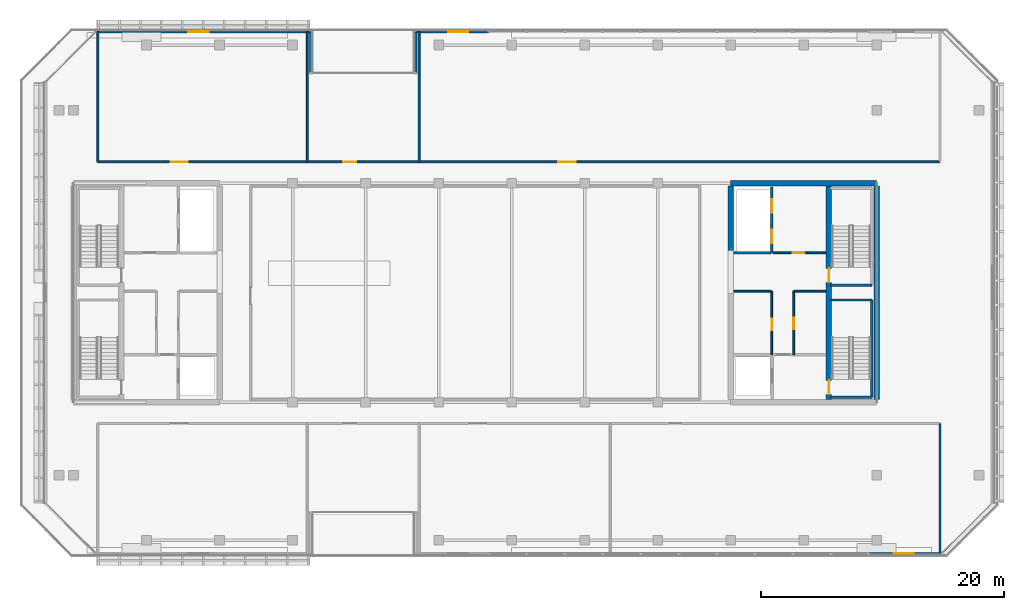
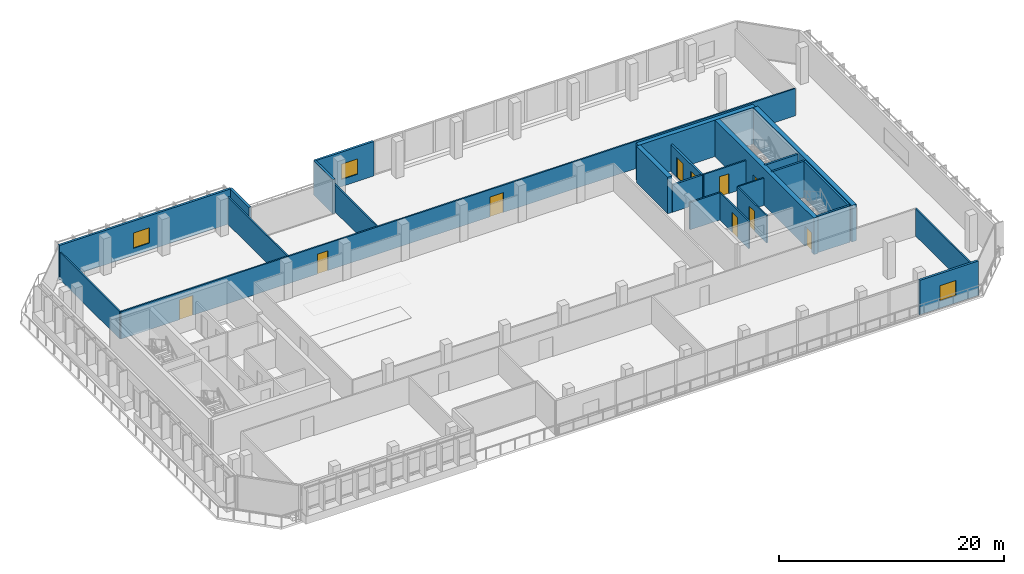
# One storey, part 21 of 26: 25 walls, 10 doors, 3 windows, 13 openings.
"""IFC4 building model written with IfcOpenShell, lengths in metres."""

from ifc_helpers import new_model, si_unit, direction, frame, frame_2d, origin, place, context, subcontext, project, spatial, rectangle, extrude, material, layer, layer_set, type_object, element, fill, save


model = new_model("IFC4")

# Units and contexts
model_context = context("Model", 3, precision=1e-05, world=origin(), true_north=direction((0.0, 1.0)))
body_context = subcontext(model_context, "Body", "Model", "MODEL_VIEW")
ifc_project = project(units=[si_unit("LENGTHUNIT", "METRE"), si_unit("AREAUNIT", "SQUARE_METRE"), si_unit("VOLUMEUNIT", "CUBIC_METRE"), si_unit("PLANEANGLEUNIT", "RADIAN"), si_unit("MASSUNIT", "GRAM", prefix="KILO")], contexts=[model_context])

# Site, building, storey
site_placement = place(None, origin())
site = spatial("IfcSite", under=ifc_project, at=site_placement, CompositionType="ELEMENT")
building_placement = place(site_placement, origin())
building = spatial("IfcBuilding", under=site, at=building_placement, Name="Tanjung Sevakor Pilgrim Tower", CompositionType="ELEMENT")
storey_placement = place(building_placement, frame((0.0, 0.0, 177.8701171875)))
storey = spatial("IfcBuildingStorey", under=building, at=storey_placement, Name="L49", CompositionType="ELEMENT", Elevation=177.8701171875)

# Walls
ifc_material_1 = material(Name="Concrete C60/75", Category="concrete")
ifc_layer_1 = layer(ifc_material_1, 0.449951171875)
ifc_layer_set_1 = layer_set([ifc_layer_1], Name="WALL-CW-450")
wall_type_1 = type_object("IfcWallType", Name="WALL-CW-450", PredefinedType="SHEAR", material=ifc_layer_set_1)
wall_1_placement = place(storey_placement, frame((90.0, 42.60009765625, 0.0), z_axis=(0.0, 0.0, 1.0), x_axis=(-1.0, 0.0, 0.0)))
element("IfcWall", 1, at=wall_1_placement, inside=storey, type_object=wall_type_1, Name="L49 E Core North Shear Wall", PredefinedType="SHEAR", context=body_context, shape_type="SweptSolid", body=[
    extrude(rectangle(XDim=12.0, YDim=0.449951171875, at=frame_2d((6.0, 0.0))), origin(), (0.0, 0.0, 1.0), 3.9599609375),
])
wall_2_placement = place(storey_placement, frame((90.0, 24.824951171875, 0.0), z_axis=(0.0, 0.0, 1.0), x_axis=(0.0, 1.0, 0.0)))
element("IfcWall", 2, at=wall_2_placement, inside=storey, type_object=wall_type_1, Name="L49 E Core Outer Shear Wall", PredefinedType="SHEAR", context=body_context, shape_type="SweptSolid", body=[
    extrude(rectangle(XDim=17.550048828125, YDim=0.449951171875, at=frame_2d((8.77490234375, 0.0))), origin(), (0.0, 0.0, 1.0), 3.9599609375),
])
wall_3_placement = place(storey_placement, frame((78.0, 36.800048828125, 0.0), z_axis=(0.0, 0.0, 1.0), x_axis=(0.0, 1.0, 0.0)))
element("IfcWall", 3, at=wall_3_placement, inside=storey, type_object=wall_type_1, Name="L49 E Core Inner Shear Wall North", PredefinedType="SHEAR", context=body_context, shape_type="SweptSolid", body=[
    extrude(rectangle(XDim=5.574951171875, YDim=0.449951171875, at=frame_2d((2.78759765625, 0.0))), origin(), (0.0, 0.0, 1.0), 3.9599609375),
])

# Wall, openings, doors
wall_4_placement = place(storey_placement, frame((86.074951171875, 24.824951171875, 0.0), z_axis=(0.0, 0.0, 1.0), x_axis=(0.0, 1.0, 0.0)))
wall_4 = element("IfcWall", 4, at=wall_4_placement, inside=storey, type_object=wall_type_1, Name="L49 E Core Stair Spine Wall", PredefinedType="SHEAR", context=body_context, shape_type="SweptSolid", body=[
    extrude(rectangle(XDim=17.550048828125, YDim=0.449951171875, at=frame_2d((8.77490234375, 0.0))), origin(), (0.0, 0.0, 1.0), 3.9599609375),
])
opening_1_placement = place(wall_4_placement, frame((0.425048828125, 0.0, 0.0)))
opening_1 = element("IfcOpeningElement", 5, at=opening_1_placement, cuts=wall_4, Name="Opening ID-ST1", PredefinedType="OPENING", context=body_context, shape_type="SweptSolid", body=[
    extrude(rectangle(XDim=1.14990234375, YDim=2.14990234375, at=frame_2d((0.574951171875, 1.074951171875))), frame((0.0, 0.23486328125, 0.0), z_axis=(0.0, -1.0, 0.0), x_axis=(1.0, 0.0, 0.0)), (0.0, 0.0, 1.0), 0.469970703125),
])
opening_2_placement = place(wall_4_placement, frame((9.625, 0.0, 0.0)))
opening_2 = element("IfcOpeningElement", 6, at=opening_2_placement, cuts=wall_4, Name="Opening ID-ST1", PredefinedType="OPENING", context=body_context, shape_type="SweptSolid", body=[
    extrude(rectangle(XDim=1.14990234375, YDim=2.14990234375, at=frame_2d((0.574951171875, 1.074951171875))), frame((0.0, 0.23486328125, 0.0), z_axis=(0.0, -1.0, 0.0), x_axis=(1.0, 0.0, 0.0)), (0.0, 0.0, 1.0), 0.469970703125),
])
ifc_material_2 = material(Name="Fire-Rated Steel S355J2", Category="steel")
door_type_1 = type_object("IfcDoorType", Name="DT-FIRE-1150", OperationType="NOTDEFINED", PredefinedType="DOOR", material=ifc_material_2)
door_1_placement = place(opening_1_placement, origin())
door_1 = element("IfcDoor", 7, at=door_1_placement, inside=storey, type_object=door_type_1, Name="L49 TS-E1 Stair Fire Door", OperationType="SINGLE_SWING_LEFT", OverallHeight=2.14990234375, OverallWidth=1.14990234375, PredefinedType="DOOR", context=body_context, shape_type="SweptSolid", body=[
    extrude(rectangle(XDim=1.14990234375, YDim=2.14990234375, at=frame_2d((0.574951171875, 1.074951171875))), frame((0.0, 0.02490234375, 0.0), z_axis=(0.0, -1.0, 0.0), x_axis=(1.0, 0.0, 0.0)), (0.0, 0.0, 1.0), 0.050048828125),
])
fill(opening_1, door_1)
door_2_placement = place(opening_2_placement, origin())
door_2 = element("IfcDoor", 8, at=door_2_placement, inside=storey, type_object=door_type_1, Name="L49 TS-E2 Stair Fire Door", OperationType="SINGLE_SWING_RIGHT", OverallHeight=2.14990234375, OverallWidth=1.14990234375, PredefinedType="DOOR", context=body_context, shape_type="SweptSolid", body=[
    extrude(rectangle(XDim=1.14990234375, YDim=2.14990234375, at=frame_2d((0.574951171875, 1.074951171875))), frame((0.0, 0.02490234375, 0.0), z_axis=(0.0, -1.0, 0.0), x_axis=(1.0, 0.0, 0.0)), (0.0, 0.0, 1.0), 0.050048828125),
])
fill(opening_2, door_2)

# Wall
ifc_material_3 = material(Name="Concrete C40/50", Category="concrete")
ifc_layer_2 = layer(ifc_material_3, 0.14990234375)
ifc_layer_set_2 = layer_set([ifc_layer_2], Name="WT-COMP-150")
wall_type_2 = type_object("IfcWallType", Name="WT-COMP-150", PredefinedType="SOLIDWALL", material=ifc_layer_set_2)
wall_5_placement = place(storey_placement, frame((83.199951171875, 33.719970703125, 0.0), z_axis=(0.0, 0.0, 1.0), x_axis=(1.0, 0.0, 0.0)))
element("IfcWall", 9, at=wall_5_placement, inside=storey, type_object=wall_type_2, Name="L49 Partition IW-L49-012", PredefinedType="SOLIDWALL", context=body_context, shape_type="SweptSolid", body=[
    extrude(rectangle(XDim=2.630126953125, YDim=0.14990234375, at=frame_2d((1.31494140625, 0.0))), origin(), (0.0, 0.0, 1.0), 2.9599609375),
])

# Wall, opening, door
wall_6_placement = place(storey_placement, frame((83.179931640625, 28.5, 0.0), z_axis=(0.0, 0.0, 1.0), x_axis=(0.0, 1.0, 0.0)))
wall_6 = element("IfcWall", 10, at=wall_6_placement, inside=storey, type_object=wall_type_2, Name="L49 Partition IW-L49-013", PredefinedType="SOLIDWALL", context=body_context, shape_type="SweptSolid", body=[
    extrude(rectangle(XDim=5.219970703125, YDim=0.14990234375, at=frame_2d((2.60986328125, 0.0))), origin(), (0.0, 0.0, 1.0), 2.9599609375),
])
opening_3_placement = place(wall_6_placement, frame((2.10009765625, 0.0, 0.0)))
opening_3 = element("IfcOpeningElement", 11, at=opening_3_placement, cuts=wall_6, Name="Opening ID-FD2", PredefinedType="OPENING", context=body_context, shape_type="SweptSolid", body=[
    extrude(rectangle(XDim=0.949951171875, YDim=2.14990234375, at=frame_2d((0.47509765625, 1.074951171875))), frame((0.0, 0.0849609375, 0.0), z_axis=(0.0, -1.0, 0.0), x_axis=(1.0, 0.0, 0.0)), (0.0, 0.0, 1.0), 0.169921875),
])
ifc_material_4 = material(Name="Fire-Rated Timber", Category="wood")
door_type_2 = type_object("IfcDoorType", Name="DT-FIRE-950", OperationType="NOTDEFINED", PredefinedType="DOOR", material=ifc_material_4)
door_3_placement = place(opening_3_placement, origin())
door_3 = element("IfcDoor", 12, at=door_3_placement, inside=storey, type_object=door_type_2, Name="L49 Housekeeping Pantry Door", OperationType="SINGLE_SWING_RIGHT", OverallHeight=2.14990234375, OverallWidth=0.949951171875, PredefinedType="DOOR", context=body_context, shape_type="SweptSolid", body=[
    extrude(rectangle(XDim=0.949951171875, YDim=2.14990234375, at=frame_2d((0.47509765625, 1.074951171875))), frame((0.0, 0.02490234375, 0.0), z_axis=(0.0, -1.0, 0.0), x_axis=(1.0, 0.0, 0.0)), (0.0, 0.0, 1.0), 0.050048828125),
])
fill(opening_3, door_3)

# Wall
wall_7_placement = place(storey_placement, frame((78.2451171875, 33.719970703125, 0.0), z_axis=(0.0, 0.0, 1.0), x_axis=(1.0, 0.0, 0.0)))
element("IfcWall", 13, at=wall_7_placement, inside=storey, type_object=wall_type_2, Name="L49 Partition IW-L49-014", PredefinedType="SOLIDWALL", context=body_context, shape_type="SweptSolid", body=[
    extrude(rectangle(XDim=3.074951171875, YDim=0.14990234375, at=frame_2d((1.53759765625, 0.0))), origin(), (0.0, 0.0, 1.0), 2.9599609375),
])

# Wall, opening, door
wall_8_placement = place(storey_placement, frame((81.3798828125, 28.5, 0.0), z_axis=(0.0, 0.0, 1.0), x_axis=(0.0, 1.0, 0.0)))
wall_8 = element("IfcWall", 14, at=wall_8_placement, inside=storey, type_object=wall_type_2, Name="L49 Partition IW-L49-015", PredefinedType="SOLIDWALL", context=body_context, shape_type="SweptSolid", body=[
    extrude(rectangle(XDim=5.219970703125, YDim=0.14990234375, at=frame_2d((2.60986328125, 0.0))), origin(), (0.0, 0.0, 1.0), 2.9599609375),
])
opening_4_placement = place(wall_8_placement, frame((2.0, 0.0, 0.0)))
opening_4 = element("IfcOpeningElement", 15, at=opening_4_placement, cuts=wall_8, Name="Opening ID-FD2", PredefinedType="OPENING", context=body_context, shape_type="SweptSolid", body=[
    extrude(rectangle(XDim=0.949951171875, YDim=2.14990234375, at=frame_2d((0.47509765625, 1.074951171875))), frame((0.0, 0.0849609375, 0.0), z_axis=(0.0, -1.0, 0.0), x_axis=(1.0, 0.0, 0.0)), (0.0, 0.0, 1.0), 0.169921875),
])
door_4_placement = place(opening_4_placement, origin())
door_4 = element("IfcDoor", 16, at=door_4_placement, inside=storey, type_object=door_type_2, Name="L49 Accessible WC Door", OperationType="SINGLE_SWING_LEFT", OverallHeight=2.14990234375, OverallWidth=0.949951171875, PredefinedType="DOOR", context=body_context, shape_type="SweptSolid", body=[
    extrude(rectangle(XDim=0.949951171875, YDim=2.14990234375, at=frame_2d((0.47509765625, 1.074951171875))), frame((0.0, 0.02490234375, 0.0), z_axis=(0.0, -1.0, 0.0), x_axis=(1.0, 0.0, 0.0)), (0.0, 0.0, 1.0), 0.050048828125),
])
fill(opening_4, door_4)

wall_9_placement = place(storey_placement, frame((81.5, 36.8798828125, 0.0), z_axis=(0.0, 0.0, 1.0), x_axis=(1.0, 0.0, 0.0)))
wall_9 = element("IfcWall", 17, at=wall_9_placement, inside=storey, type_object=wall_type_2, Name="L49 Partition IW-L49-016", PredefinedType="SOLIDWALL", context=body_context, shape_type="SweptSolid", body=[
    extrude(rectangle(XDim=4.330078125, YDim=0.14990234375, at=frame_2d((2.1650390625, 0.0))), origin(), (0.0, 0.0, 1.0), 2.9599609375),
])
opening_5_placement = place(wall_9_placement, frame((1.60009765625, 0.0, 0.0)))
opening_5 = element("IfcOpeningElement", 18, at=opening_5_placement, cuts=wall_9, Name="Opening ID-FD2", PredefinedType="OPENING", context=body_context, shape_type="SweptSolid", body=[
    extrude(rectangle(XDim=0.949951171875, YDim=2.14990234375, at=frame_2d((0.47509765625, 1.074951171875))), frame((0.0, 0.0849609375, 0.0), z_axis=(0.0, -1.0, 0.0), x_axis=(1.0, 0.0, 0.0)), (0.0, 0.0, 1.0), 0.169921875),
])
door_5_placement = place(opening_5_placement, origin())
door_5 = element("IfcDoor", 19, at=door_5_placement, inside=storey, type_object=door_type_2, Name="L49 Core Prayer Room Door", OperationType="SINGLE_SWING_RIGHT", OverallHeight=2.14990234375, OverallWidth=0.949951171875, PredefinedType="DOOR", context=body_context, shape_type="SweptSolid", body=[
    extrude(rectangle(XDim=0.949951171875, YDim=2.14990234375, at=frame_2d((0.47509765625, 1.074951171875))), frame((0.0, 0.02490234375, 0.0), z_axis=(0.0, -1.0, 0.0), x_axis=(1.0, 0.0, 0.0)), (0.0, 0.0, 1.0), 0.050048828125),
])
fill(opening_5, door_5)

# Walls
wall_10_placement = place(storey_placement, frame((95.199951171875, 12.14990234375, 0.0), z_axis=(0.0, 0.0, 1.0), x_axis=(0.0, 1.0, 0.0)))
element("IfcWall", 20, at=wall_10_placement, inside=storey, type_object=wall_type_2, Name="L49 Partition IW-L49-027", PredefinedType="SOLIDWALL", context=body_context, shape_type="SweptSolid", body=[
    extrude(rectangle(XDim=10.7001953125, YDim=0.14990234375, at=frame_2d((5.35009765625, 0.0))), origin(), (0.0, 0.0, 1.0), 2.9599609375),
])
wall_11_placement = place(storey_placement, frame((26.0, 44.35009765625, 0.0), z_axis=(0.0, 0.0, 1.0), x_axis=(0.0, 1.0, 0.0)))
element("IfcWall", 21, at=wall_11_placement, inside=storey, type_object=wall_type_2, Name="L49 Partition IW-L49-029", PredefinedType="SOLIDWALL", context=body_context, shape_type="SweptSolid", body=[
    extrude(rectangle(XDim=10.699951171875, YDim=0.14990234375, at=frame_2d((5.35009765625, 0.0))), origin(), (0.0, 0.0, 1.0), 2.9599609375),
])

# Wall, openings, doors
wall_12_placement = place(storey_placement, frame((26.0, 44.35009765625, 0.0), z_axis=(0.0, 0.0, 1.0), x_axis=(1.0, 0.0, 0.0)))
wall_12 = element("IfcWall", 22, at=wall_12_placement, inside=storey, type_object=wall_type_2, Name="L49 Partition IW-L49-033", PredefinedType="SOLIDWALL", context=body_context, shape_type="SweptSolid", body=[
    extrude(rectangle(XDim=69.199951171875, YDim=0.14990234375, at=frame_2d((34.60009765625, 0.0))), origin(), (0.0, 0.0, 1.0), 2.9599609375),
])
opening_6_placement = place(wall_12_placement, frame((6.0, 0.0, 0.0)))
opening_6 = element("IfcOpeningElement", 23, at=opening_6_placement, cuts=wall_12, Name="Opening ID-HD1", PredefinedType="OPENING", context=body_context, shape_type="SweptSolid", body=[
    extrude(rectangle(XDim=1.39990234375, YDim=2.14990234375, at=frame_2d((0.699951171875, 1.074951171875))), frame((0.0, 0.0849609375, 0.0), z_axis=(0.0, -1.0, 0.0), x_axis=(1.0, 0.0, 0.0)), (0.0, 0.0, 1.0), 0.169921875),
])
opening_7_placement = place(wall_12_placement, frame((20.14990234375, 0.0, 0.0)))
opening_7 = element("IfcOpeningElement", 24, at=opening_7_placement, cuts=wall_12, Name="Opening ID-RM2", PredefinedType="OPENING", context=body_context, shape_type="SweptSolid", body=[
    extrude(rectangle(XDim=1.10009765625, YDim=2.14990234375, at=frame_2d((0.550048828125, 1.074951171875))), frame((0.0, 0.0849609375, 0.0), z_axis=(0.0, -1.0, 0.0), x_axis=(1.0, 0.0, 0.0)), (0.0, 0.0, 1.0), 0.169921875),
])
opening_8_placement = place(wall_12_placement, frame((37.85009765625, 0.0, 0.0)))
opening_8 = element("IfcOpeningElement", 25, at=opening_8_placement, cuts=wall_12, Name="Opening ID-HD1", PredefinedType="OPENING", context=body_context, shape_type="SweptSolid", body=[
    extrude(rectangle(XDim=1.39990234375, YDim=2.14990234375, at=frame_2d((0.699951171875, 1.074951171875))), frame((0.0, 0.0849609375, 0.0), z_axis=(0.0, -1.0, 0.0), x_axis=(1.0, 0.0, 0.0)), (0.0, 0.0, 1.0), 0.169921875),
])
ifc_material_5 = material(Name="Hardwood Timber", Category="wood")
door_type_3 = type_object("IfcDoorType", Name="DT-INT-1100", OperationType="NOTDEFINED", PredefinedType="DOOR", material=ifc_material_5)
door_6_placement = place(opening_7_placement, origin())
door_6 = element("IfcDoor", 26, at=door_6_placement, inside=storey, type_object=door_type_3, Name="L49 Sky Prayer Door", OperationType="SINGLE_SWING_LEFT", OverallHeight=2.14990234375, OverallWidth=1.10009765625, PredefinedType="DOOR", context=body_context, shape_type="SweptSolid", body=[
    extrude(rectangle(XDim=1.10009765625, YDim=2.14990234375, at=frame_2d((0.550048828125, 1.074951171875))), frame((0.0, 0.02490234375, 0.0), z_axis=(0.0, -1.0, 0.0), x_axis=(1.0, 0.0, 0.0)), (0.0, 0.0, 1.0), 0.050048828125),
])
fill(opening_7, door_6)
ifc_material_6 = material(Name="Hardwood Timber", Category="wood")
door_type_4 = type_object("IfcDoorType", Name="DT-INT-1400", OperationType="DOUBLE_DOOR_SINGLE_SWING", PredefinedType="DOOR", material=ifc_material_6)
door_7_placement = place(opening_6_placement, origin())
door_7 = element("IfcDoor", 27, at=door_7_placement, inside=storey, type_object=door_type_4, Name="L49 Sky Seminar Door", OperationType="SINGLE_SWING_RIGHT", OverallHeight=2.14990234375, OverallWidth=1.39990234375, PredefinedType="DOOR", context=body_context, shape_type="SweptSolid", body=[
    extrude(rectangle(XDim=1.39990234375, YDim=2.14990234375, at=frame_2d((0.699951171875, 1.074951171875))), frame((0.0, 0.02490234375, 0.0), z_axis=(0.0, -1.0, 0.0), x_axis=(1.0, 0.0, 0.0)), (0.0, 0.0, 1.0), 0.050048828125),
])
fill(opening_6, door_7)
door_8_placement = place(opening_8_placement, origin())
door_8 = element("IfcDoor", 28, at=door_8_placement, inside=storey, type_object=door_type_4, Name="L49 Sky Reading Door", OperationType="SINGLE_SWING_RIGHT", OverallHeight=2.14990234375, OverallWidth=1.39990234375, PredefinedType="DOOR", context=body_context, shape_type="SweptSolid", body=[
    extrude(rectangle(XDim=1.39990234375, YDim=2.14990234375, at=frame_2d((0.699951171875, 1.074951171875))), frame((0.0, 0.02490234375, 0.0), z_axis=(0.0, -1.0, 0.0), x_axis=(1.0, 0.0, 0.0)), (0.0, 0.0, 1.0), 0.050048828125),
])
fill(opening_8, door_8)

# Wall, opening, window
ifc_material_7 = material(Name="Precast concrete C45/55", Category="concrete")
ifc_layer_3 = layer(ifc_material_7, 0.219970703125)
ifc_layer_set_3 = layer_set([ifc_layer_3], Name="WT-EW-STN4")
wall_type_3 = type_object("IfcWallType", Name="WT-EW-STN4", PredefinedType="SOLIDWALL", material=ifc_layer_set_3)
wall_13_placement = place(storey_placement, frame((89.3544921875, 12.159912109375, 0.0), z_axis=(0.0, 0.0, 1.0), x_axis=(1.0, 0.0, 0.0)))
wall_13 = element("IfcWall", 29, at=wall_13_placement, inside=storey, type_object=wall_type_3, Name="L49 Sky Lobby Wall S2", PredefinedType="SOLIDWALL", context=body_context, shape_type="SweptSolid", body=[
    extrude(rectangle(XDim=6.0, YDim=0.219970703125, at=frame_2d((3.0, 0.0))), origin(), (0.0, 0.0, 1.0), 3.739990234375),
])
opening_9_placement = place(wall_13_placement, frame((2.057861328125, 0.0, 0.780029296875)))
opening_9 = element("IfcOpeningElement", 30, at=opening_9_placement, cuts=wall_13, Name="Opening WN-Z4-1660", PredefinedType="OPENING", context=body_context, shape_type="SweptSolid", body=[
    extrude(rectangle(XDim=1.64990234375, YDim=1.659912109375, at=frame_2d((0.824951171875, 0.830078125))), frame((0.0, 0.119873046875, 0.0), z_axis=(0.0, -1.0, 0.0), x_axis=(1.0, 0.0, 0.0)), (0.0, 0.0, 1.0), 0.239990234375),
])
ifc_material_8 = material(Name="Thermally Broken Aluminium and Low-E Glass", Category="aluminium")
window_type = type_object("IfcWindowType", Name="WTYP-WN-Z4-1660", PartitioningType="DOUBLE_PANEL_VERTICAL", PredefinedType="WINDOW", material=ifc_material_8)
window_1_placement = place(opening_9_placement, origin())
window_1 = element("IfcWindow", 31, at=window_1_placement, inside=storey, type_object=window_type, Name="L49 Facade Window 01", OverallHeight=1.659912109375, OverallWidth=1.64990234375, PartitioningType="SINGLE_PANEL", PredefinedType="WINDOW", context=body_context, shape_type="SweptSolid", body=[
    extrude(rectangle(XDim=1.64990234375, YDim=1.659912109375, at=frame_2d((0.824951171875, 0.830078125))), frame((0.0, 0.030029296875, 0.0), z_axis=(0.0, -1.0, 0.0), x_axis=(1.0, 0.0, 0.0)), (0.0, 0.0, 1.0), 0.06005859375),
])
fill(opening_9, window_1)

wall_14_placement = place(storey_placement, frame((58.110107421875, 55.0400390625, 0.0), z_axis=(0.0, 0.0, 1.0), x_axis=(-1.0, 0.0, 0.0)))
wall_14 = element("IfcWall", 32, at=wall_14_placement, inside=storey, type_object=wall_type_3, Name="L49 Sky Lobby Wall N2", PredefinedType="SOLIDWALL", context=body_context, shape_type="SweptSolid", body=[
    extrude(rectangle(XDim=6.0, YDim=0.219970703125, at=frame_2d((3.0, 0.0))), origin(), (0.0, 0.0, 1.0), 3.739990234375),
])
opening_10_placement = place(wall_14_placement, frame((1.659912109375, 0.0, 0.780029296875)))
opening_10 = element("IfcOpeningElement", 33, at=opening_10_placement, cuts=wall_14, Name="Opening WN-Z4-1660", PredefinedType="OPENING", context=body_context, shape_type="SweptSolid", body=[
    extrude(rectangle(XDim=1.64990234375, YDim=1.659912109375, at=frame_2d((0.824951171875, 0.830078125))), frame((0.0, 0.119873046875, 0.0), z_axis=(0.0, -1.0, 0.0), x_axis=(1.0, 0.0, 0.0)), (0.0, 0.0, 1.0), 0.239990234375),
])
window_2_placement = place(opening_10_placement, origin())
window_2 = element("IfcWindow", 34, at=window_2_placement, inside=storey, type_object=window_type, Name="L49 Facade Window 01", OverallHeight=1.659912109375, OverallWidth=1.64990234375, PartitioningType="SINGLE_PANEL", PredefinedType="WINDOW", context=body_context, shape_type="SweptSolid", body=[
    extrude(rectangle(XDim=1.64990234375, YDim=1.659912109375, at=frame_2d((0.824951171875, 0.830078125))), frame((0.0, 0.030029296875, 0.0), z_axis=(0.0, -1.0, 0.0), x_axis=(1.0, 0.0, 0.0)), (0.0, 0.0, 1.0), 0.06005859375),
])
fill(opening_10, window_2)

# Walls
for number, where, z_axis, x_axis, name in (
    (35, (52.110107421875, 55.0400390625, 0.0), (0.0, 0.0, 1.0), (0.0, -1.0, 0.0), "L49 MAIN Exterior Wall 10"),
    (36, (43.489990234375, 51.639892578125, 0.0), (0.0, 0.0, 1.0), (0.0, 1.0, 0.0), "L49 MAIN Exterior Wall 12"),
):
    element("IfcWall", number, at=place(storey_placement, frame(where, z_axis=z_axis, x_axis=x_axis)), inside=storey, type_object=wall_type_3, Name=name, PredefinedType="SOLIDWALL", context=body_context, shape_type="SweptSolid", body=[
        extrude(rectangle(XDim=3.400146484375, YDim=0.219970703125, at=frame_2d((1.7001953125, 0.0))), origin(), (0.0, 0.0, 1.0), 3.739990234375),
    ])

# Wall, opening, window
wall_15_placement = place(storey_placement, frame((43.489990234375, 55.0400390625, 0.0), z_axis=(0.0, 0.0, 1.0), x_axis=(-1.0, 0.0, 0.0)))
wall_15 = element("IfcWall", 37, at=wall_15_placement, inside=storey, type_object=wall_type_3, Name="L49 MAIN Exterior Wall 13", PredefinedType="SOLIDWALL", context=body_context, shape_type="SweptSolid", body=[
    extrude(rectangle(XDim=17.644287109375, YDim=0.219970703125, at=frame_2d((8.822265625, 0.0))), origin(), (0.0, 0.0, 1.0), 3.739990234375),
])
opening_11_placement = place(wall_15_placement, frame((8.39501953125, 0.0, 0.780029296875)))
opening_11 = element("IfcOpeningElement", 38, at=opening_11_placement, cuts=wall_15, Name="Opening WN-Z4-1660", PredefinedType="OPENING", context=body_context, shape_type="SweptSolid", body=[
    extrude(rectangle(XDim=1.64990234375, YDim=1.659912109375, at=frame_2d((0.824951171875, 0.830078125))), frame((0.0, 0.119873046875, 0.0), z_axis=(0.0, -1.0, 0.0), x_axis=(1.0, 0.0, 0.0)), (0.0, 0.0, 1.0), 0.239990234375),
])
window_3_placement = place(opening_11_placement, origin())
window_3 = element("IfcWindow", 39, at=window_3_placement, inside=storey, type_object=window_type, Name="L49 Facade Window 01", OverallHeight=1.659912109375, OverallWidth=1.64990234375, PartitioningType="SINGLE_PANEL", PredefinedType="WINDOW", context=body_context, shape_type="SweptSolid", body=[
    extrude(rectangle(XDim=1.64990234375, YDim=1.659912109375, at=frame_2d((0.824951171875, 0.830078125))), frame((0.0, 0.030029296875, 0.0), z_axis=(0.0, -1.0, 0.0), x_axis=(1.0, 0.0, 0.0)), (0.0, 0.0, 1.0), 0.06005859375),
])
fill(opening_11, window_3)

# Walls
ifc_material_9 = material(Name="Concrete C40/50", Category="concrete")
ifc_layer_4 = layer(ifc_material_9, 0.199951171875)
ifc_layer_set_4 = layer_set([ifc_layer_4], Name="WT-FIRE-200")
wall_type_4 = type_object("IfcWallType", Name="WT-FIRE-200", PredefinedType="SOLIDWALL", material=ifc_layer_set_4)
wall_16_placement = place(storey_placement, frame((86.199951171875, 25.0, 0.0), z_axis=(0.0, 0.0, 1.0), x_axis=(1.0, 0.0, 0.0)))
element("IfcWall", 40, at=wall_16_placement, inside=storey, type_object=wall_type_4, Name="L49 TS-E1 Shaft Wall 1", PredefinedType="SOLIDWALL", context=body_context, shape_type="SweptSolid", body=[
    extrude(rectangle(XDim=3.400146484375, YDim=0.199951171875, at=frame_2d((1.7001953125, 0.0))), origin(), (0.0, 0.0, 1.0), 3.9599609375),
])
wall_17_placement = place(storey_placement, frame((89.60009765625, 25.0, 0.0), z_axis=(0.0, 0.0, 1.0), x_axis=(0.0, 1.0, 0.0)))
element("IfcWall", 41, at=wall_17_placement, inside=storey, type_object=wall_type_4, Name="L49 TS-E1 Shaft Wall 2", PredefinedType="SOLIDWALL", context=body_context, shape_type="SweptSolid", body=[
    extrude(rectangle(XDim=8.0, YDim=0.199951171875, at=frame_2d((4.0, 0.0))), origin(), (0.0, 0.0, 1.0), 3.9599609375),
])
for number, where, z_axis, x_axis, name in (
    (42, (89.60009765625, 33.0, 0.0), (0.0, 0.0, 1.0), (-1.0, 0.0, 0.0), "L49 TS-E1 Shaft Wall 3"),
    (43, (86.199951171875, 34.199951171875, 0.0), (0.0, 0.0, 1.0), (1.0, 0.0, 0.0), "L49 TS-E2 Shaft Wall 1"),
):
    element("IfcWall", number, at=place(storey_placement, frame(where, z_axis=z_axis, x_axis=x_axis)), inside=storey, type_object=wall_type_4, Name=name, PredefinedType="SOLIDWALL", context=body_context, shape_type="SweptSolid", body=[
        extrude(rectangle(XDim=3.400146484375, YDim=0.199951171875, at=frame_2d((1.7001953125, 0.0))), origin(), (0.0, 0.0, 1.0), 3.9599609375),
    ])
ifc_material_10 = material(Name="Concrete C40/50", Category="concrete")
ifc_layer_5 = layer(ifc_material_10, 0.199951171875)
ifc_layer_set_5 = layer_set([ifc_layer_5], Name="WT-FPRT-200")
wall_type_5 = type_object("IfcWallType", Name="WT-FPRT-200", PredefinedType="SOLIDWALL", material=ifc_layer_set_5)
wall_18_placement = place(storey_placement, frame((78.2451171875, 36.8798828125, 0.0), z_axis=(0.0, 0.0, 1.0), x_axis=(1.0, 0.0, 0.0)))
element("IfcWall", 44, at=wall_18_placement, inside=storey, type_object=wall_type_5, Name="L49 Partition IW-L49-017", PredefinedType="SOLIDWALL", context=body_context, shape_type="SweptSolid", body=[
    extrude(rectangle(XDim=3.074951171875, YDim=0.199951171875, at=frame_2d((1.53759765625, 0.0))), origin(), (0.0, 0.0, 1.0), 2.9599609375),
])

# Wall, openings, doors
wall_19_placement = place(storey_placement, frame((81.3798828125, 36.8798828125, 0.0), z_axis=(0.0, 0.0, 1.0), x_axis=(0.0, 1.0, 0.0)))
wall_19 = element("IfcWall", 45, at=wall_19_placement, inside=storey, type_object=wall_type_5, Name="L49 Partition IW-L49-018", PredefinedType="SOLIDWALL", context=body_context, shape_type="SweptSolid", body=[
    extrude(rectangle(XDim=5.420166015625, YDim=0.199951171875, at=frame_2d((2.7099609375, 0.0))), origin(), (0.0, 0.0, 1.0), 2.9599609375),
])
opening_12_placement = place(wall_19_placement, frame((0.800048828125, 0.0, 0.0)))
opening_12 = element("IfcOpeningElement", 46, at=opening_12_placement, cuts=wall_19, Name="Opening LD-1100", PredefinedType="OPENING", context=body_context, shape_type="SweptSolid", body=[
    extrude(rectangle(XDim=1.10009765625, YDim=2.199951171875, at=frame_2d((0.550048828125, 1.10009765625))), frame((0.0, 0.10986328125, 0.0), z_axis=(0.0, -1.0, 0.0), x_axis=(1.0, 0.0, 0.0)), (0.0, 0.0, 1.0), 0.219970703125),
])
opening_13_placement = place(wall_19_placement, frame((3.300048828125, 0.0, 0.0)))
opening_13 = element("IfcOpeningElement", 47, at=opening_13_placement, cuts=wall_19, Name="Opening LD-1100", PredefinedType="OPENING", context=body_context, shape_type="SweptSolid", body=[
    extrude(rectangle(XDim=1.10009765625, YDim=2.199951171875, at=frame_2d((0.550048828125, 1.10009765625))), frame((0.0, 0.10986328125, 0.0), z_axis=(0.0, -1.0, 0.0), x_axis=(1.0, 0.0, 0.0)), (0.0, 0.0, 1.0), 0.219970703125),
])
ifc_material_11 = material(Name="Brushed Stainless Steel S355J2", Category="steel")
door_type_5 = type_object("IfcDoorType", Name="DT-LIFT-1100", OperationType="SLIDING_TO_LEFT", PredefinedType="DOOR", material=ifc_material_11)
door_9_placement = place(opening_12_placement, origin())
door_9 = element("IfcDoor", 48, at=door_9_placement, inside=storey, type_object=door_type_5, Name="LD-PLH1-E", OperationType="SLIDING_TO_LEFT", OverallHeight=2.199951171875, OverallWidth=1.10009765625, PredefinedType="DOOR", context=body_context, shape_type="SweptSolid", body=[
    extrude(rectangle(XDim=1.10009765625, YDim=2.199951171875, at=frame_2d((0.550048828125, 1.10009765625))), frame((0.0, 0.02490234375, 0.0), z_axis=(0.0, -1.0, 0.0), x_axis=(1.0, 0.0, 0.0)), (0.0, 0.0, 1.0), 0.050048828125),
])
fill(opening_12, door_9)
door_10_placement = place(opening_13_placement, origin())
door_10 = element("IfcDoor", 49, at=door_10_placement, inside=storey, type_object=door_type_5, Name="LD-PLH2-E", OperationType="SLIDING_TO_RIGHT", OverallHeight=2.199951171875, OverallWidth=1.10009765625, PredefinedType="DOOR", context=body_context, shape_type="SweptSolid", body=[
    extrude(rectangle(XDim=1.10009765625, YDim=2.199951171875, at=frame_2d((0.550048828125, 1.10009765625))), frame((0.0, 0.02490234375, 0.0), z_axis=(0.0, -1.0, 0.0), x_axis=(1.0, 0.0, 0.0)), (0.0, 0.0, 1.0), 0.050048828125),
])
fill(opening_13, door_10)

# Walls
ifc_material_12 = material(Name="Gypsum Board Partition", Category="gypsum board")
ifc_layer_6 = layer(ifc_material_12, 0.14990234375)
ifc_layer_set_6 = layer_set([ifc_layer_6], Name="WT-PART-150")
wall_type_6 = type_object("IfcWallType", Name="WT-PART-150", PredefinedType="PARTITIONING", material=ifc_layer_set_6)
for number, where, z_axis, x_axis, name in (
    (50, (43.199951171875, 44.35009765625, 0.0), (0.0, 0.0, 1.0), (0.0, 1.0, 0.0), "L49 Partition IW-L49-030"),
    (51, (52.39990234375, 44.35009765625, 0.0), (0.0, 0.0, 1.0), (0.0, 1.0, 0.0), "L49 Partition IW-L49-031"),
):
    element("IfcWall", number, at=place(storey_placement, frame(where, z_axis=z_axis, x_axis=x_axis)), inside=storey, type_object=wall_type_6, Name=name, PredefinedType="PARTITIONING", context=body_context, shape_type="SweptSolid", body=[
        extrude(rectangle(XDim=10.699951171875, YDim=0.14990234375, at=frame_2d((5.35009765625, 0.0))), origin(), (0.0, 0.0, 1.0), 2.9599609375),
    ])

save(model, "model.ifc")
